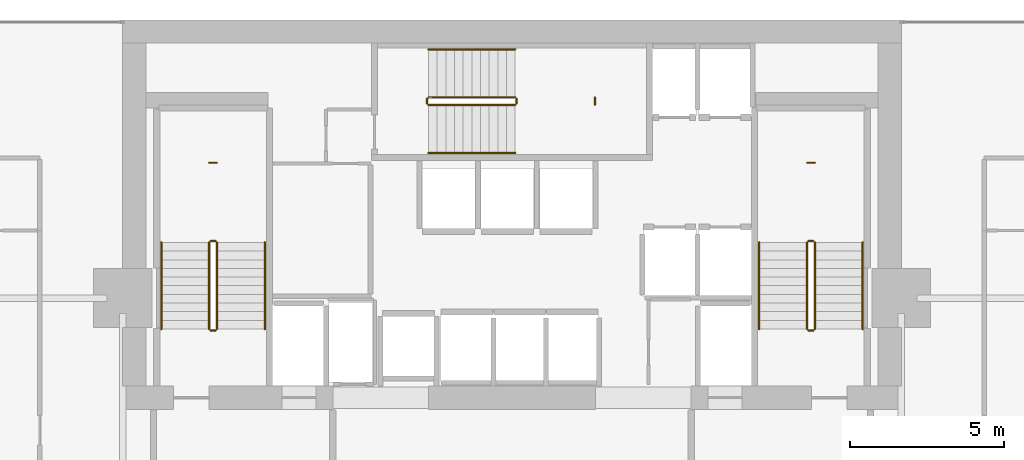
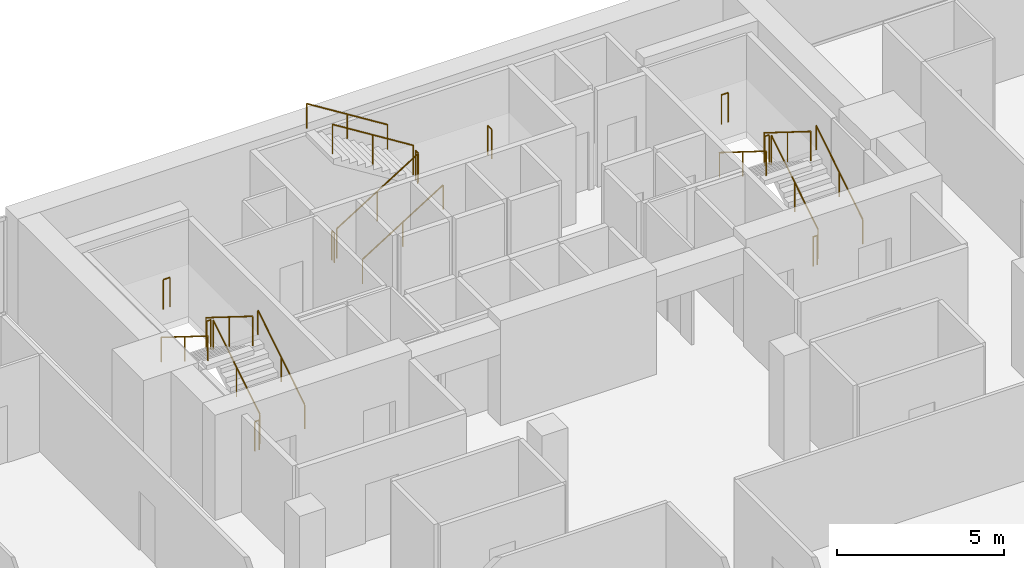
# One storey, part 32 of 32: 21 railings.
"""IFC4 building model written with IfcOpenShell, lengths in metres."""

from ifc_helpers import new_model, si_unit, direction, frame, origin, origin_2d, place, context, subcontext, project, spatial, circle, extrude, material, type_object, element, save


model = new_model("IFC4")

# Units and contexts
model_context = context("Model", 3, precision=1e-05, world=origin(), true_north=direction((0.0, 1.0)))
body_context = subcontext(model_context, "Body", "Model", "MODEL_VIEW")
ifc_project = project(units=[si_unit("LENGTHUNIT", "METRE"), si_unit("AREAUNIT", "SQUARE_METRE"), si_unit("VOLUMEUNIT", "CUBIC_METRE"), si_unit("PLANEANGLEUNIT", "RADIAN"), si_unit("MASSUNIT", "GRAM", prefix="KILO")], contexts=[model_context])

# Site, building, storey
site_placement = place(None, origin())
site = spatial("IfcSite", under=ifc_project, at=site_placement, CompositionType="ELEMENT")
building_placement = place(site_placement, origin())
building = spatial("IfcBuilding", under=site, at=building_placement, Name="Maruvema Waterfront Hotel and Observation Tower", CompositionType="ELEMENT")
storey_placement = place(building_placement, frame((0.0, 0.0, 223.64990234375)))
storey = spatial("IfcBuildingStorey", under=building, at=storey_placement, Name="L55", CompositionType="ELEMENT", Elevation=223.64990234375)

# Railings
ifc_material_1 = material(Name="Brushed stainless steel Grade 316", Category="steel")
railing_type_1 = type_object("IfcRailingType", Name="Ramp Continuous Wall Handrail 920 mm", PredefinedType="HANDRAIL", material=ifc_material_1)
railing_1_placement = place(storey_placement, frame((29.800048828125, 44.0, 0.175048828125)))
element("IfcRailing", 1, at=railing_1_placement, inside=storey, type_object=railing_type_1, Name="L55 ST-01 stair handrail 1", PredefinedType="HANDRAIL", context=body_context, shape_type="SweptSolid", body=[
    extrude(circle(Radius=0.02392578125, at=origin_2d()), frame((0.0, 0.0, 0.89599609375), z_axis=(0.0, 0.848002457836, 0.529992293815), x_axis=(-1.0, 0.0, 0.0)), (0.0, 0.0, 1.0), 3.302001953125),
    extrude(circle(Radius=0.02099609375, at=origin_2d()), origin(), (0.0, 0.0, 1.0), 0.871826171875),
    extrude(circle(Radius=0.02099609375, at=origin_2d()), frame((0.0, 1.39990234375, 0.875)), (0.0, 0.0, 1.0), 0.871826171875),
    extrude(circle(Radius=0.02099609375, at=origin_2d()), frame((0.0, 2.800048828125, 1.75)), (0.0, 0.0, 1.0), 0.871826171875),
])
railing_2_placement = place(storey_placement, frame((26.449951171875, 46.800048828125, 2.10009765625)))
element("IfcRailing", 2, at=railing_2_placement, inside=storey, type_object=railing_type_1, Name="L55 ST-01 stair handrail 2", PredefinedType="HANDRAIL", context=body_context, shape_type="SweptSolid", body=[
    extrude(circle(Radius=0.02392578125, at=origin_2d()), frame((0.0, 0.0, 0.89599609375), z_axis=(0.0, -0.848002457836, 0.529992293815), x_axis=(1.0, 0.0, 0.0)), (0.0, 0.0, 1.0), 3.302001953125),
    extrude(circle(Radius=0.02099609375, at=origin_2d()), origin(), (0.0, 0.0, 1.0), 0.871826171875),
    extrude(circle(Radius=0.02099609375, at=origin_2d()), frame((0.0, -1.39990234375, 0.875)), (0.0, 0.0, 1.0), 0.871826171875),
    extrude(circle(Radius=0.02099609375, at=origin_2d()), frame((0.0, -2.800048828125, 1.75)), (0.0, 0.0, 1.0), 0.871826171875),
])
railing_3_placement = place(storey_placement, frame((35.10009765625, 49.699951171875, 0.175048828125)))
element("IfcRailing", 3, at=railing_3_placement, inside=storey, type_object=railing_type_1, Name="L55 ST-02 stair handrail 1", PredefinedType="HANDRAIL", context=body_context, shape_type="SweptSolid", body=[
    extrude(circle(Radius=0.02392578125, at=origin_2d()), frame((0.0, 0.0, 0.89599609375), z_axis=(0.847981687118, 0.0, 0.530025526095), x_axis=(0.0, 1.0, 0.0)), (0.0, 0.0, 1.0), 3.3017578125),
    extrude(circle(Radius=0.02099609375, at=origin_2d()), origin(), (0.0, 0.0, 1.0), 0.871826171875),
    extrude(circle(Radius=0.02099609375, at=origin_2d()), frame((1.39990234375, 0.0, 0.875)), (0.0, 0.0, 1.0), 0.871826171875),
    extrude(circle(Radius=0.02099609375, at=origin_2d()), frame((2.7998046875, 0.0, 1.75)), (0.0, 0.0, 1.0), 0.871826171875),
])
railing_4_placement = place(storey_placement, frame((37.89990234375, 53.050048828125, 2.10009765625)))
element("IfcRailing", 4, at=railing_4_placement, inside=storey, type_object=railing_type_1, Name="L55 ST-02 stair handrail 2", PredefinedType="HANDRAIL", context=body_context, shape_type="SweptSolid", body=[
    extrude(circle(Radius=0.02392578125, at=origin_2d()), frame((0.0, 0.0, 0.89599609375), z_axis=(-0.847981687118, 0.0, 0.530025526095), x_axis=(0.0, -1.0, 0.0)), (0.0, 0.0, 1.0), 3.3017578125),
    extrude(circle(Radius=0.02099609375, at=origin_2d()), origin(), (0.0, 0.0, 1.0), 0.871826171875),
    extrude(circle(Radius=0.02099609375, at=origin_2d()), frame((-1.39990234375, 0.0, 0.875)), (0.0, 0.0, 1.0), 0.871826171875),
    extrude(circle(Radius=0.02099609375, at=origin_2d()), frame((-2.7998046875, 0.0, 1.75)), (0.0, 0.0, 1.0), 0.871826171875),
])
railing_5_placement = place(storey_placement, frame((49.14990234375, 44.0, 0.175048828125)))
element("IfcRailing", 5, at=railing_5_placement, inside=storey, type_object=railing_type_1, Name="L55 ST-03 stair handrail 1", PredefinedType="HANDRAIL", context=body_context, shape_type="SweptSolid", body=[
    extrude(circle(Radius=0.02392578125, at=origin_2d()), frame((0.0, 0.0, 0.89599609375), z_axis=(0.0, 0.848002457836, 0.529992293815), x_axis=(-1.0, 0.0, 0.0)), (0.0, 0.0, 1.0), 3.302001953125),
    extrude(circle(Radius=0.02099609375, at=origin_2d()), origin(), (0.0, 0.0, 1.0), 0.871826171875),
    extrude(circle(Radius=0.02099609375, at=origin_2d()), frame((0.0, 1.39990234375, 0.875)), (0.0, 0.0, 1.0), 0.871826171875),
    extrude(circle(Radius=0.02099609375, at=origin_2d()), frame((0.0, 2.800048828125, 1.75)), (0.0, 0.0, 1.0), 0.871826171875),
])
railing_6_placement = place(storey_placement, frame((45.800048828125, 46.800048828125, 2.10009765625)))
element("IfcRailing", 6, at=railing_6_placement, inside=storey, type_object=railing_type_1, Name="L55 ST-03 stair handrail 2", PredefinedType="HANDRAIL", context=body_context, shape_type="SweptSolid", body=[
    extrude(circle(Radius=0.02392578125, at=origin_2d()), frame((0.0, 0.0, 0.89599609375), z_axis=(0.0, -0.848002457836, 0.529992293815), x_axis=(1.0, 0.0, 0.0)), (0.0, 0.0, 1.0), 3.302001953125),
    extrude(circle(Radius=0.02099609375, at=origin_2d()), origin(), (0.0, 0.0, 1.0), 0.871826171875),
    extrude(circle(Radius=0.02099609375, at=origin_2d()), frame((0.0, -1.39990234375, 0.875)), (0.0, 0.0, 1.0), 0.871826171875),
    extrude(circle(Radius=0.02099609375, at=origin_2d()), frame((0.0, -2.800048828125, 1.75)), (0.0, 0.0, 1.0), 0.871826171875),
])
ifc_material_2 = material(Name="Brushed stainless steel Grade 316", Category="steel")
railing_type_2 = type_object("IfcRailingType", Name="Ramp and Terrace Guard Balustrade 1100 mm", PredefinedType="BALUSTRADE", material=ifc_material_2)
railing_7_placement = place(storey_placement, frame((28.25, 44.0, 0.175048828125)))
element("IfcRailing", 7, at=railing_7_placement, inside=storey, type_object=railing_type_2, Name="L55 ST-01 stair guard 1", PredefinedType="BALUSTRADE", context=body_context, shape_type="SweptSolid", body=[
    extrude(circle(Radius=0.02392578125, at=origin_2d()), frame((0.0, 0.0, 1.076171875), z_axis=(0.0, 0.848002457836, 0.529992293815), x_axis=(-1.0, 0.0, 0.0)), (0.0, 0.0, 1.0), 3.302001953125),
    extrude(circle(Radius=0.02099609375, at=origin_2d()), origin(), (0.0, 0.0, 1.0), 1.052001953125),
    extrude(circle(Radius=0.02099609375, at=origin_2d()), frame((0.0, 1.39990234375, 0.875)), (0.0, 0.0, 1.0), 1.052001953125),
    extrude(circle(Radius=0.02099609375, at=origin_2d()), frame((0.0, 2.800048828125, 1.75)), (0.0, 0.0, 1.0), 1.052001953125),
])
railing_8_placement = place(storey_placement, frame((28.199951171875, 46.85009765625, 1.925048828125)))
element("IfcRailing", 8, at=railing_8_placement, inside=storey, type_object=railing_type_2, Name="L55 ST-01 stair guard 2", PredefinedType="BALUSTRADE", context=body_context, shape_type="SweptSolid", body=[
    extrude(circle(Radius=0.02392578125, at=origin_2d()), frame((0.0, 0.0, 1.076171875), z_axis=(-1.0, 0.0, 0.0), x_axis=(0.0, -1.0, 0.0)), (0.0, 0.0, 1.0), 0.14990234375),
    extrude(circle(Radius=0.02099609375, at=origin_2d()), origin(), (0.0, 0.0, 1.0), 1.052001953125),
    extrude(circle(Radius=0.02099609375, at=origin_2d()), frame((-0.14990234375, 0.0, 0.0)), (0.0, 0.0, 1.0), 1.052001953125),
])
railing_9_placement = place(storey_placement, frame((28.0, 46.800048828125, 2.10009765625)))
element("IfcRailing", 9, at=railing_9_placement, inside=storey, type_object=railing_type_2, Name="L55 ST-01 stair guard 3", PredefinedType="BALUSTRADE", context=body_context, shape_type="SweptSolid", body=[
    extrude(circle(Radius=0.02392578125, at=origin_2d()), frame((0.0, 0.0, 1.076171875), z_axis=(0.0, -0.848002457836, 0.529992293815), x_axis=(1.0, 0.0, 0.0)), (0.0, 0.0, 1.0), 3.302001953125),
    extrude(circle(Radius=0.02099609375, at=origin_2d()), origin(), (0.0, 0.0, 1.0), 1.052001953125),
    extrude(circle(Radius=0.02099609375, at=origin_2d()), frame((0.0, -1.39990234375, 0.875)), (0.0, 0.0, 1.0), 1.052001953125),
    extrude(circle(Radius=0.02099609375, at=origin_2d()), frame((0.0, -2.800048828125, 1.75)), (0.0, 0.0, 1.0), 1.052001953125),
])
railing_10_placement = place(storey_placement, frame((28.199951171875, 43.949951171875, 0.0)))
element("IfcRailing", 10, at=railing_10_placement, inside=storey, type_object=railing_type_2, Name="L55 ST-01 stair guard 4", PredefinedType="BALUSTRADE", context=body_context, shape_type="SweptSolid", body=[
    extrude(circle(Radius=0.02392578125, at=origin_2d()), frame((0.0, 0.0, 1.076171875), z_axis=(-1.0, 0.0, 0.0), x_axis=(0.0, -1.0, 0.0)), (0.0, 0.0, 1.0), 0.14990234375),
    extrude(circle(Radius=0.02099609375, at=origin_2d()), origin(), (0.0, 0.0, 1.0), 1.052001953125),
    extrude(circle(Radius=0.02099609375, at=origin_2d()), frame((-0.14990234375, 0.0, 0.0)), (0.0, 0.0, 1.0), 1.052001953125),
])
railing_11_placement = place(storey_placement, frame((28.239990234375, 49.3798828125, 1.925048828125)))
element("IfcRailing", 11, at=railing_11_placement, inside=storey, type_object=railing_type_2, Name="L55 ST-01 Half-Landing Slot Guard", PredefinedType="BALUSTRADE", context=body_context, shape_type="SweptSolid", body=[
    extrude(circle(Radius=0.02392578125, at=origin_2d()), frame((0.0, 0.0, 1.076171875), z_axis=(-1.0, 0.0, 0.0), x_axis=(0.0, -1.0, 0.0)), (0.0, 0.0, 1.0), 0.22998046875),
    extrude(circle(Radius=0.02099609375, at=origin_2d()), origin(), (0.0, 0.0, 1.0), 1.052001953125),
    extrude(circle(Radius=0.02099609375, at=origin_2d()), frame((-0.22998046875, 0.0, 0.0)), (0.0, 0.0, 1.0), 1.052001953125),
])
railing_12_placement = place(storey_placement, frame((35.10009765625, 51.25, 0.175048828125)))
element("IfcRailing", 12, at=railing_12_placement, inside=storey, type_object=railing_type_2, Name="L55 ST-02 stair guard 1", PredefinedType="BALUSTRADE", context=body_context, shape_type="SweptSolid", body=[
    extrude(circle(Radius=0.02392578125, at=origin_2d()), frame((0.0, 0.0, 1.076171875), z_axis=(0.847981687118, 0.0, 0.530025526095), x_axis=(0.0, 1.0, 0.0)), (0.0, 0.0, 1.0), 3.3017578125),
    extrude(circle(Radius=0.02099609375, at=origin_2d()), origin(), (0.0, 0.0, 1.0), 1.052001953125),
    extrude(circle(Radius=0.02099609375, at=origin_2d()), frame((1.39990234375, 0.0, 0.875)), (0.0, 0.0, 1.0), 1.052001953125),
    extrude(circle(Radius=0.02099609375, at=origin_2d()), frame((2.7998046875, 0.0, 1.75)), (0.0, 0.0, 1.0), 1.052001953125),
])
railing_13_placement = place(storey_placement, frame((37.949951171875, 51.300048828125, 1.925048828125)))
element("IfcRailing", 13, at=railing_13_placement, inside=storey, type_object=railing_type_2, Name="L55 ST-02 stair guard 2", PredefinedType="BALUSTRADE", context=body_context, shape_type="SweptSolid", body=[
    extrude(circle(Radius=0.02392578125, at=origin_2d()), frame((0.0, 0.0, 1.076171875), z_axis=(0.0, 1.0, 0.0), x_axis=(-1.0, 0.0, 0.0)), (0.0, 0.0, 1.0), 0.14990234375),
    extrude(circle(Radius=0.02099609375, at=origin_2d()), origin(), (0.0, 0.0, 1.0), 1.052001953125),
    extrude(circle(Radius=0.02099609375, at=origin_2d()), frame((0.0, 0.14990234375, 0.0)), (0.0, 0.0, 1.0), 1.052001953125),
])
railing_14_placement = place(storey_placement, frame((37.89990234375, 51.5, 2.10009765625)))
element("IfcRailing", 14, at=railing_14_placement, inside=storey, type_object=railing_type_2, Name="L55 ST-02 stair guard 3", PredefinedType="BALUSTRADE", context=body_context, shape_type="SweptSolid", body=[
    extrude(circle(Radius=0.02392578125, at=origin_2d()), frame((0.0, 0.0, 1.076171875), z_axis=(-0.847981687118, 0.0, 0.530025526095), x_axis=(0.0, -1.0, 0.0)), (0.0, 0.0, 1.0), 3.3017578125),
    extrude(circle(Radius=0.02099609375, at=origin_2d()), origin(), (0.0, 0.0, 1.0), 1.052001953125),
    extrude(circle(Radius=0.02099609375, at=origin_2d()), frame((-1.39990234375, 0.0, 0.875)), (0.0, 0.0, 1.0), 1.052001953125),
    extrude(circle(Radius=0.02099609375, at=origin_2d()), frame((-2.7998046875, 0.0, 1.75)), (0.0, 0.0, 1.0), 1.052001953125),
])
railing_15_placement = place(storey_placement, frame((35.050048828125, 51.300048828125, 0.0)))
element("IfcRailing", 15, at=railing_15_placement, inside=storey, type_object=railing_type_2, Name="L55 ST-02 stair guard 4", PredefinedType="BALUSTRADE", context=body_context, shape_type="SweptSolid", body=[
    extrude(circle(Radius=0.02392578125, at=origin_2d()), frame((0.0, 0.0, 1.076171875), z_axis=(0.0, 1.0, 0.0), x_axis=(-1.0, 0.0, 0.0)), (0.0, 0.0, 1.0), 0.14990234375),
    extrude(circle(Radius=0.02099609375, at=origin_2d()), origin(), (0.0, 0.0, 1.0), 1.052001953125),
    extrude(circle(Radius=0.02099609375, at=origin_2d()), frame((0.0, 0.14990234375, 0.0)), (0.0, 0.0, 1.0), 1.052001953125),
])
railing_16_placement = place(storey_placement, frame((40.47998046875, 51.260009765625, 1.925048828125)))
element("IfcRailing", 16, at=railing_16_placement, inside=storey, type_object=railing_type_2, Name="L55 ST-02 Half-Landing Slot Guard", PredefinedType="BALUSTRADE", context=body_context, shape_type="SweptSolid", body=[
    extrude(circle(Radius=0.02392578125, at=origin_2d()), frame((0.0, 0.0, 1.076171875), z_axis=(0.0, 1.0, 0.0), x_axis=(-1.0, 0.0, 0.0)), (0.0, 0.0, 1.0), 0.22998046875),
    extrude(circle(Radius=0.02099609375, at=origin_2d()), origin(), (0.0, 0.0, 1.0), 1.052001953125),
    extrude(circle(Radius=0.02099609375, at=origin_2d()), frame((0.0, 0.22998046875, 0.0)), (0.0, 0.0, 1.0), 1.052001953125),
])
railing_17_placement = place(storey_placement, frame((47.60009765625, 44.0, 0.175048828125)))
element("IfcRailing", 17, at=railing_17_placement, inside=storey, type_object=railing_type_2, Name="L55 ST-03 stair guard 1", PredefinedType="BALUSTRADE", context=body_context, shape_type="SweptSolid", body=[
    extrude(circle(Radius=0.02392578125, at=origin_2d()), frame((0.0, 0.0, 1.076171875), z_axis=(0.0, 0.848002457836, 0.529992293815), x_axis=(-1.0, 0.0, 0.0)), (0.0, 0.0, 1.0), 3.302001953125),
    extrude(circle(Radius=0.02099609375, at=origin_2d()), origin(), (0.0, 0.0, 1.0), 1.052001953125),
    extrude(circle(Radius=0.02099609375, at=origin_2d()), frame((0.0, 1.39990234375, 0.875)), (0.0, 0.0, 1.0), 1.052001953125),
    extrude(circle(Radius=0.02099609375, at=origin_2d()), frame((0.0, 2.800048828125, 1.75)), (0.0, 0.0, 1.0), 1.052001953125),
])
railing_18_placement = place(storey_placement, frame((47.550048828125, 46.85009765625, 1.925048828125)))
element("IfcRailing", 18, at=railing_18_placement, inside=storey, type_object=railing_type_2, Name="L55 ST-03 stair guard 2", PredefinedType="BALUSTRADE", context=body_context, shape_type="SweptSolid", body=[
    extrude(circle(Radius=0.02392578125, at=origin_2d()), frame((0.0, 0.0, 1.076171875), z_axis=(-1.0, 0.0, 0.0), x_axis=(0.0, -1.0, 0.0)), (0.0, 0.0, 1.0), 0.150146484375),
    extrude(circle(Radius=0.02099609375, at=origin_2d()), origin(), (0.0, 0.0, 1.0), 1.052001953125),
    extrude(circle(Radius=0.02099609375, at=origin_2d()), frame((-0.150146484375, 0.0, 0.0)), (0.0, 0.0, 1.0), 1.052001953125),
])
railing_19_placement = place(storey_placement, frame((47.35009765625, 46.800048828125, 2.10009765625)))
element("IfcRailing", 19, at=railing_19_placement, inside=storey, type_object=railing_type_2, Name="L55 ST-03 stair guard 3", PredefinedType="BALUSTRADE", context=body_context, shape_type="SweptSolid", body=[
    extrude(circle(Radius=0.02392578125, at=origin_2d()), frame((0.0, 0.0, 1.076171875), z_axis=(0.0, -0.848002457836, 0.529992293815), x_axis=(1.0, 0.0, 0.0)), (0.0, 0.0, 1.0), 3.302001953125),
    extrude(circle(Radius=0.02099609375, at=origin_2d()), origin(), (0.0, 0.0, 1.0), 1.052001953125),
    extrude(circle(Radius=0.02099609375, at=origin_2d()), frame((0.0, -1.39990234375, 0.875)), (0.0, 0.0, 1.0), 1.052001953125),
    extrude(circle(Radius=0.02099609375, at=origin_2d()), frame((0.0, -2.800048828125, 1.75)), (0.0, 0.0, 1.0), 1.052001953125),
])
railing_20_placement = place(storey_placement, frame((47.550048828125, 43.949951171875, 0.0)))
element("IfcRailing", 20, at=railing_20_placement, inside=storey, type_object=railing_type_2, Name="L55 ST-03 stair guard 4", PredefinedType="BALUSTRADE", context=body_context, shape_type="SweptSolid", body=[
    extrude(circle(Radius=0.02392578125, at=origin_2d()), frame((0.0, 0.0, 1.076171875), z_axis=(-1.0, 0.0, 0.0), x_axis=(0.0, -1.0, 0.0)), (0.0, 0.0, 1.0), 0.150146484375),
    extrude(circle(Radius=0.02099609375, at=origin_2d()), origin(), (0.0, 0.0, 1.0), 1.052001953125),
    extrude(circle(Radius=0.02099609375, at=origin_2d()), frame((-0.150146484375, 0.0, 0.0)), (0.0, 0.0, 1.0), 1.052001953125),
])
railing_21_placement = place(storey_placement, frame((47.590087890625, 49.3798828125, 1.925048828125)))
element("IfcRailing", 21, at=railing_21_placement, inside=storey, type_object=railing_type_2, Name="L55 ST-03 Half-Landing Slot Guard", PredefinedType="BALUSTRADE", context=body_context, shape_type="SweptSolid", body=[
    extrude(circle(Radius=0.02392578125, at=origin_2d()), frame((0.0, 0.0, 1.076171875), z_axis=(-1.0, 0.0, 0.0), x_axis=(0.0, -1.0, 0.0)), (0.0, 0.0, 1.0), 0.22998046875),
    extrude(circle(Radius=0.02099609375, at=origin_2d()), origin(), (0.0, 0.0, 1.0), 1.052001953125),
    extrude(circle(Radius=0.02099609375, at=origin_2d()), frame((-0.22998046875, 0.0, 0.0)), (0.0, 0.0, 1.0), 1.052001953125),
])

save(model, "model.ifc")
